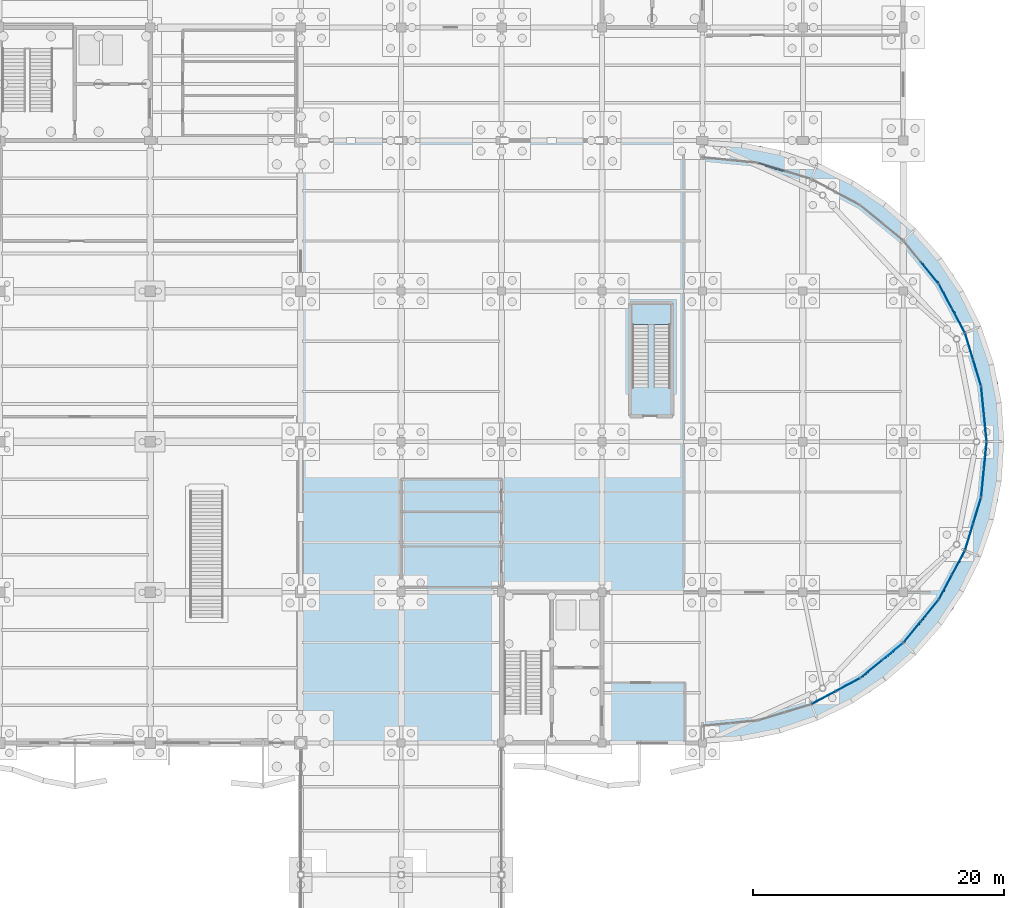
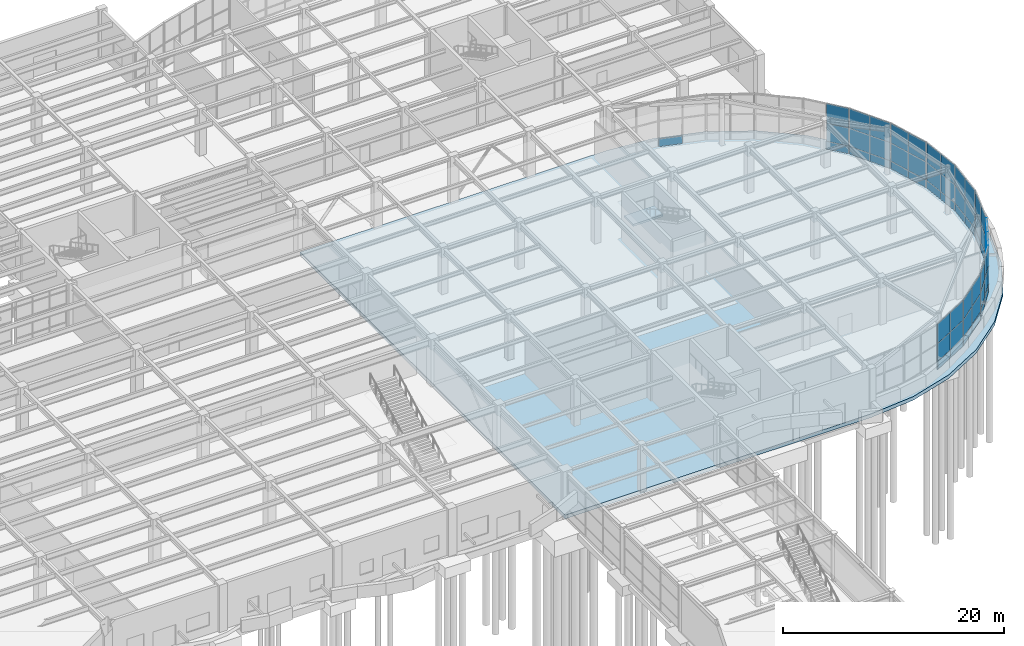
# One storey, part 56 of 85: 58 plates, 2 slabs, 12 elements without a shape of their own.
"""IFC4 building model written with IfcOpenShell, lengths in metres."""

from ifc_helpers import new_model, si_unit, direction, frame, origin, origin_2d, place, context, subcontext, project, spatial, polyline, rectangle, outline, extrude, material, layer, layer_set, type_object, element, aggregate, save


model = new_model("IFC4")

# Units and contexts
model_context = context("Model", 3, precision=1e-05, world=origin(), true_north=direction((0.0, 1.0)))
body_context = subcontext(model_context, "Body", "Model", "MODEL_VIEW")
ifc_project = project(units=[si_unit("LENGTHUNIT", "METRE"), si_unit("AREAUNIT", "SQUARE_METRE"), si_unit("VOLUMEUNIT", "CUBIC_METRE"), si_unit("PLANEANGLEUNIT", "RADIAN"), si_unit("MASSUNIT", "GRAM", prefix="KILO")], contexts=[model_context])

# Site, building, storey
site_placement = place(None, origin())
site = spatial("IfcSite", under=ifc_project, at=site_placement, CompositionType="ELEMENT")
building_placement = place(site_placement, origin())
building = spatial("IfcBuilding", under=site, at=building_placement, Name="Keelwater Ferry Terminal", CompositionType="ELEMENT")
storey_placement = place(building_placement, origin())
storey = spatial("IfcBuildingStorey", under=building, at=storey_placement, Name="L00", CompositionType="ELEMENT", Elevation=0.0)

# Curtain wall, plates
ifc_material_1 = material(Name="Thermally broken unitised aluminium and triple glass", Category="aluminium")
ifc_layer_1 = layer(ifc_material_1, 0.179931640625)
ifc_layer_set_1 = layer_set([ifc_layer_1], Name="Thermally broken unitised aluminium and triple glass")
curtain_wall_type = type_object("IfcCurtainWallType", Name="CW-17 Unitised Curtain Wall 4350x5020", PredefinedType="USERDEFINED", material=ifc_layer_set_1)
curtain_wall_1_placement = place(storey_placement, origin())
curtain_wall_1 = element("IfcCurtainWall", 1, at=curtain_wall_1_placement, inside=storey, type_object=curtain_wall_type, Name="Unitised Curtain Wall CW-L00-095", ObjectType="UNITISED CURTAIN WALL", PredefinedType="USERDEFINED")
ifc_material_2 = material(Name="Insulated white cassette spandrel", Category="aluminium")
ifc_layer_2 = layer(ifc_material_2, 0.094970703125)
ifc_layer_set_2 = layer_set([ifc_layer_2], Name="Insulated white cassette spandrel")
plate_type_1 = type_object("IfcPlateType", Name="CWP-S2 Insulated Spandrel Panel 95", PredefinedType="CURTAIN_PANEL", material=ifc_layer_set_2)
plate_1_placement = place(storey_placement, frame((173.6669921875, 45.607666015625, 0.0), z_axis=(0.0, 0.0, 1.0), x_axis=(0.881862452632, 0.471506749303, 0.0)))
plate_1 = element("IfcPlate", 2, at=plate_1_placement, type_object=plate_type_1, Name="CW-L00-095 Panel 1.1", PredefinedType="CURTAIN_PANEL", context=body_context, shape_type="SweptSolid", body=[
    extrude(rectangle(XDim=2.175048828125, YDim=0.094970703125, at=origin_2d()), origin(), (0.0, 0.0, 1.0), 0.85009765625),
])
plate_2_placement = place(storey_placement, frame((175.5849609375, 46.63330078125, 0.0), z_axis=(0.0, 0.0, 1.0), x_axis=(0.881862452632, 0.471506749303, 0.0)))
plate_2 = element("IfcPlate", 3, at=plate_2_placement, type_object=plate_type_1, Name="CW-L00-095 Panel 2.1", PredefinedType="CURTAIN_PANEL", context=body_context, shape_type="SweptSolid", body=[
    extrude(rectangle(XDim=2.175048828125, YDim=0.094970703125, at=origin_2d()), origin(), (0.0, 0.0, 1.0), 0.85009765625),
])

curtain_wall_2_placement = place(storey_placement, origin())
curtain_wall_2 = element("IfcCurtainWall", 4, at=curtain_wall_2_placement, inside=storey, type_object=curtain_wall_type, Name="Unitised Curtain Wall CW-L00-096", ObjectType="UNITISED CURTAIN WALL", PredefinedType="USERDEFINED")
plate_3_placement = place(storey_placement, frame((177.45947265625, 47.8857421875, 0.0), z_axis=(0.0, 0.0, 1.0), x_axis=(0.773024220086, 0.634376508991, 0.0)))
plate_3 = element("IfcPlate", 5, at=plate_3_placement, type_object=plate_type_1, Name="CW-L00-096 Panel 1.1", PredefinedType="CURTAIN_PANEL", context=body_context, shape_type="SweptSolid", body=[
    extrude(rectangle(XDim=2.174560546875, YDim=0.094970703125, at=origin_2d()), origin(), (0.0, 0.0, 1.0), 0.85009765625),
])
plate_4_placement = place(storey_placement, frame((179.140380859375, 49.26513671875, 0.0), z_axis=(0.0, 0.0, 1.0), x_axis=(0.773024220086, 0.634376508991, 0.0)))
plate_4 = element("IfcPlate", 6, at=plate_4_placement, type_object=plate_type_1, Name="CW-L00-096 Panel 2.1", PredefinedType="CURTAIN_PANEL", context=body_context, shape_type="SweptSolid", body=[
    extrude(rectangle(XDim=2.174560546875, YDim=0.094970703125, at=origin_2d()), origin(), (0.0, 0.0, 1.0), 0.85009765625),
])

curtain_wall_3_placement = place(storey_placement, origin())
curtain_wall_3 = element("IfcCurtainWall", 7, at=curtain_wall_3_placement, inside=storey, type_object=curtain_wall_type, Name="Unitised Curtain Wall CW-L00-097", ObjectType="UNITISED CURTAIN WALL", PredefinedType="USERDEFINED")
plate_5_placement = place(storey_placement, frame((180.73486328125, 50.859619140625, 0.0), z_axis=(0.0, 0.0, 1.0), x_axis=(0.634376508991, 0.773024220086, 0.0)))
plate_5 = element("IfcPlate", 8, at=plate_5_placement, type_object=plate_type_1, Name="CW-L00-097 Panel 1.1", PredefinedType="CURTAIN_PANEL", context=body_context, shape_type="SweptSolid", body=[
    extrude(rectangle(XDim=2.174560546875, YDim=0.094970703125, at=origin_2d()), origin(), (0.0, 0.0, 1.0), 0.85009765625),
])
plate_6_placement = place(storey_placement, frame((182.1142578125, 52.54052734375, 0.0), z_axis=(0.0, 0.0, 1.0), x_axis=(0.634376508991, 0.773024220086, 0.0)))
plate_6 = element("IfcPlate", 9, at=plate_6_placement, type_object=plate_type_1, Name="CW-L00-097 Panel 2.1", PredefinedType="CURTAIN_PANEL", context=body_context, shape_type="SweptSolid", body=[
    extrude(rectangle(XDim=2.174560546875, YDim=0.094970703125, at=origin_2d()), origin(), (0.0, 0.0, 1.0), 0.85009765625),
])

curtain_wall_4_placement = place(storey_placement, origin())
curtain_wall_4 = element("IfcCurtainWall", 10, at=curtain_wall_4_placement, inside=storey, type_object=curtain_wall_type, Name="Unitised Curtain Wall CW-L00-098", ObjectType="UNITISED CURTAIN WALL", PredefinedType="USERDEFINED")
plate_7_placement = place(storey_placement, frame((183.36669921875, 54.4150390625, 0.0), z_axis=(0.0, 0.0, 1.0), x_axis=(0.471506749303, 0.881862452632, 0.0)))
plate_7 = element("IfcPlate", 11, at=plate_7_placement, type_object=plate_type_1, Name="CW-L00-098 Panel 1.1", PredefinedType="CURTAIN_PANEL", context=body_context, shape_type="SweptSolid", body=[
    extrude(rectangle(XDim=2.175048828125, YDim=0.094970703125, at=origin_2d()), origin(), (0.0, 0.0, 1.0), 0.85009765625),
])
plate_8_placement = place(storey_placement, frame((184.392333984375, 56.3330078125, 0.0), z_axis=(0.0, 0.0, 1.0), x_axis=(0.471506749303, 0.881862452632, 0.0)))
plate_8 = element("IfcPlate", 12, at=plate_8_placement, type_object=plate_type_1, Name="CW-L00-098 Panel 2.1", PredefinedType="CURTAIN_PANEL", context=body_context, shape_type="SweptSolid", body=[
    extrude(rectangle(XDim=2.175048828125, YDim=0.094970703125, at=origin_2d()), origin(), (0.0, 0.0, 1.0), 0.85009765625),
])

curtain_wall_5_placement = place(storey_placement, origin())
curtain_wall_5 = element("IfcCurtainWall", 13, at=curtain_wall_5_placement, inside=storey, type_object=curtain_wall_type, Name="Unitised Curtain Wall CW-L00-099", ObjectType="UNITISED CURTAIN WALL", PredefinedType="USERDEFINED")
plate_9_placement = place(storey_placement, frame((185.254638671875, 58.415771484375, 0.0), z_axis=(0.0, 0.0, 1.0), x_axis=(0.290319989003, 0.956929623319, 0.0)))
plate_9 = element("IfcPlate", 14, at=plate_9_placement, type_object=plate_type_1, Name="CW-L00-099 Panel 1.1", PredefinedType="CURTAIN_PANEL", context=body_context, shape_type="SweptSolid", body=[
    extrude(rectangle(XDim=2.17529296875, YDim=0.094970703125, at=origin_2d()), origin(), (0.0, 0.0, 1.0), 0.85009765625),
])
plate_10_placement = place(storey_placement, frame((185.88623046875, 60.497314453125, 0.0), z_axis=(0.0, 0.0, 1.0), x_axis=(0.290319989003, 0.956929623319, 0.0)))
plate_10 = element("IfcPlate", 15, at=plate_10_placement, type_object=plate_type_1, Name="CW-L00-099 Panel 2.1", PredefinedType="CURTAIN_PANEL", context=body_context, shape_type="SweptSolid", body=[
    extrude(rectangle(XDim=2.17529296875, YDim=0.094970703125, at=origin_2d()), origin(), (0.0, 0.0, 1.0), 0.85009765625),
])

curtain_wall_6_placement = place(storey_placement, origin())
curtain_wall_6 = element("IfcCurtainWall", 16, at=curtain_wall_6_placement, inside=storey, type_object=curtain_wall_type, Name="Unitised Curtain Wall CW-L00-100", ObjectType="UNITISED CURTAIN WALL", PredefinedType="USERDEFINED")
plate_11_placement = place(storey_placement, frame((186.32568359375, 62.708251953125, 0.0), z_axis=(0.0, 0.0, 1.0), x_axis=(0.098160737969, 0.995170573079, 0.0)))
plate_11 = element("IfcPlate", 17, at=plate_11_placement, type_object=plate_type_1, Name="CW-L00-100 Panel 1.1", PredefinedType="CURTAIN_PANEL", context=body_context, shape_type="SweptSolid", body=[
    extrude(rectangle(XDim=2.175048828125, YDim=0.094970703125, at=origin_2d()), origin(), (0.0, 0.0, 1.0), 0.85009765625),
])
plate_12_placement = place(storey_placement, frame((186.539306640625, 64.872802734375, 0.0), z_axis=(0.0, 0.0, 1.0), x_axis=(0.098160737969, 0.995170573079, 0.0)))
plate_12 = element("IfcPlate", 18, at=plate_12_placement, type_object=plate_type_1, Name="CW-L00-100 Panel 2.1", PredefinedType="CURTAIN_PANEL", context=body_context, shape_type="SweptSolid", body=[
    extrude(rectangle(XDim=2.175048828125, YDim=0.094970703125, at=origin_2d()), origin(), (0.0, 0.0, 1.0), 0.85009765625),
])

curtain_wall_7_placement = place(storey_placement, origin())
curtain_wall_7 = element("IfcCurtainWall", 19, at=curtain_wall_7_placement, inside=storey, type_object=curtain_wall_type, Name="Unitised Curtain Wall CW-L00-101", ObjectType="UNITISED CURTAIN WALL", PredefinedType="USERDEFINED")
plate_13_placement = place(storey_placement, frame((186.539306640625, 67.127197265625, 0.0), z_axis=(0.0, 0.0, 1.0), x_axis=(-0.098160737969, 0.995170573079, 0.0)))
plate_13 = element("IfcPlate", 20, at=plate_13_placement, type_object=plate_type_1, Name="CW-L00-101 Panel 1.1", PredefinedType="CURTAIN_PANEL", context=body_context, shape_type="SweptSolid", body=[
    extrude(rectangle(XDim=2.175048828125, YDim=0.094970703125, at=origin_2d()), origin(), (0.0, 0.0, 1.0), 0.85009765625),
])
plate_14_placement = place(storey_placement, frame((186.32568359375, 69.291748046875, 0.0), z_axis=(0.0, 0.0, 1.0), x_axis=(-0.098160737969, 0.995170573079, 0.0)))
plate_14 = element("IfcPlate", 21, at=plate_14_placement, type_object=plate_type_1, Name="CW-L00-101 Panel 2.1", PredefinedType="CURTAIN_PANEL", context=body_context, shape_type="SweptSolid", body=[
    extrude(rectangle(XDim=2.175048828125, YDim=0.094970703125, at=origin_2d()), origin(), (0.0, 0.0, 1.0), 0.85009765625),
])

curtain_wall_8_placement = place(storey_placement, origin())
curtain_wall_8 = element("IfcCurtainWall", 22, at=curtain_wall_8_placement, inside=storey, type_object=curtain_wall_type, Name="Unitised Curtain Wall CW-L00-102", ObjectType="UNITISED CURTAIN WALL", PredefinedType="USERDEFINED")
plate_15_placement = place(storey_placement, frame((185.88623046875, 71.502685546875, 0.0), z_axis=(0.0, 0.0, 1.0), x_axis=(-0.290319989003, 0.956929623319, 0.0)))
plate_15 = element("IfcPlate", 23, at=plate_15_placement, type_object=plate_type_1, Name="CW-L00-102 Panel 1.1", PredefinedType="CURTAIN_PANEL", context=body_context, shape_type="SweptSolid", body=[
    extrude(rectangle(XDim=2.17529296875, YDim=0.094970703125, at=origin_2d()), origin(), (0.0, 0.0, 1.0), 0.85009765625),
])
plate_16_placement = place(storey_placement, frame((185.254638671875, 73.584228515625, 0.0), z_axis=(0.0, 0.0, 1.0), x_axis=(-0.290319989003, 0.956929623319, 0.0)))
plate_16 = element("IfcPlate", 24, at=plate_16_placement, type_object=plate_type_1, Name="CW-L00-102 Panel 2.1", PredefinedType="CURTAIN_PANEL", context=body_context, shape_type="SweptSolid", body=[
    extrude(rectangle(XDim=2.17529296875, YDim=0.094970703125, at=origin_2d()), origin(), (0.0, 0.0, 1.0), 0.85009765625),
])

curtain_wall_9_placement = place(storey_placement, origin())
curtain_wall_9 = element("IfcCurtainWall", 25, at=curtain_wall_9_placement, inside=storey, type_object=curtain_wall_type, Name="Unitised Curtain Wall CW-L00-103", ObjectType="UNITISED CURTAIN WALL", PredefinedType="USERDEFINED")
plate_17_placement = place(storey_placement, frame((184.392333984375, 75.6669921875, 0.0), z_axis=(0.0, 0.0, 1.0), x_axis=(-0.471506749303, 0.881862452632, 0.0)))
plate_17 = element("IfcPlate", 26, at=plate_17_placement, type_object=plate_type_1, Name="CW-L00-103 Panel 1.1", PredefinedType="CURTAIN_PANEL", context=body_context, shape_type="SweptSolid", body=[
    extrude(rectangle(XDim=2.175048828125, YDim=0.094970703125, at=origin_2d()), origin(), (0.0, 0.0, 1.0), 0.85009765625),
])
plate_18_placement = place(storey_placement, frame((183.36669921875, 77.5849609375, 0.0), z_axis=(0.0, 0.0, 1.0), x_axis=(-0.471506749303, 0.881862452632, 0.0)))
plate_18 = element("IfcPlate", 27, at=plate_18_placement, type_object=plate_type_1, Name="CW-L00-103 Panel 2.1", PredefinedType="CURTAIN_PANEL", context=body_context, shape_type="SweptSolid", body=[
    extrude(rectangle(XDim=2.175048828125, YDim=0.094970703125, at=origin_2d()), origin(), (0.0, 0.0, 1.0), 0.85009765625),
])

# Curtain wall, plate
curtain_wall_10_placement = place(storey_placement, origin())
curtain_wall_10 = element("IfcCurtainWall", 28, at=curtain_wall_10_placement, inside=storey, type_object=curtain_wall_type, Name="Unitised Curtain Wall CW-L00-104", ObjectType="UNITISED CURTAIN WALL", PredefinedType="USERDEFINED")
plate_19_placement = place(storey_placement, frame((182.1142578125, 79.45947265625, 0.0), z_axis=(0.0, 0.0, 1.0), x_axis=(-0.634376508991, 0.773024220086, 0.0)))
plate_19 = element("IfcPlate", 29, at=plate_19_placement, type_object=plate_type_1, Name="CW-L00-104 Panel 1.1", PredefinedType="CURTAIN_PANEL", context=body_context, shape_type="SweptSolid", body=[
    extrude(rectangle(XDim=2.174560546875, YDim=0.094970703125, at=origin_2d()), origin(), (0.0, 0.0, 1.0), 0.85009765625),
])

curtain_wall_11_placement = place(storey_placement, origin())
curtain_wall_11 = element("IfcCurtainWall", 30, at=curtain_wall_11_placement, inside=storey, type_object=curtain_wall_type, Name="Unitised Curtain Wall CW-L00-107", ObjectType="UNITISED CURTAIN WALL", PredefinedType="USERDEFINED")
plate_20_placement = place(storey_placement, frame((169.502685546875, 87.88623046875, 0.0), z_axis=(0.0, 0.0, 1.0), x_axis=(-0.956929623319, 0.290319989003, 0.0)))
plate_20 = element("IfcPlate", 31, at=plate_20_placement, type_object=plate_type_1, Name="CW-L00-107 Panel 2.1", PredefinedType="CURTAIN_PANEL", context=body_context, shape_type="SweptSolid", body=[
    extrude(rectangle(XDim=2.17529296875, YDim=0.094970703125, at=origin_2d()), origin(), (0.0, 0.0, 1.0), 0.85009765625),
])
aggregate(curtain_wall_11, [plate_20])

# Plate
ifc_material_3 = material(Name="Triple solar-control glass", Category="glass")
ifc_layer_3 = layer(ifc_material_3, 0.0419921875)
ifc_layer_set_3 = layer_set([ifc_layer_3], Name="Triple solar-control glass")
plate_type_2 = type_object("IfcPlateType", Name="CWP-V2 Glazed Vision Panel 42", PredefinedType="CURTAIN_PANEL", material=ifc_layer_set_3)
plate_21_placement = place(storey_placement, frame((173.6669921875, 45.607666015625, 0.85009765625), z_axis=(0.0, 0.0, 1.0), x_axis=(0.881862452632, 0.471506749303, 0.0)))
plate_21 = element("IfcPlate", 32, at=plate_21_placement, type_object=plate_type_2, Name="CW-L00-095 Panel 1.2", PredefinedType="CURTAIN_PANEL", context=body_context, shape_type="SweptSolid", body=[
    extrude(rectangle(XDim=2.175048828125, YDim=0.0419921875, at=origin_2d()), origin(), (0.0, 0.0, 1.0), 2.0),
])

plate_22_placement = place(storey_placement, frame((173.6669921875, 45.607666015625, 2.85009765625), z_axis=(0.0, 0.0, 1.0), x_axis=(0.881862452632, 0.471506749303, 0.0)))
plate_22 = element("IfcPlate", 33, at=plate_22_placement, type_object=plate_type_2, Name="CW-L00-095 Panel 1.3", PredefinedType="CURTAIN_PANEL", context=body_context, shape_type="SweptSolid", body=[
    extrude(rectangle(XDim=2.175048828125, YDim=0.0419921875, at=origin_2d()), origin(), (0.0, 0.0, 1.0), 2.169921875),
])

plate_23_placement = place(storey_placement, frame((175.5849609375, 46.63330078125, 0.85009765625), z_axis=(0.0, 0.0, 1.0), x_axis=(0.881862452632, 0.471506749303, 0.0)))
plate_23 = element("IfcPlate", 34, at=plate_23_placement, type_object=plate_type_2, Name="CW-L00-095 Panel 2.2", PredefinedType="CURTAIN_PANEL", context=body_context, shape_type="SweptSolid", body=[
    extrude(rectangle(XDim=2.175048828125, YDim=0.0419921875, at=origin_2d()), origin(), (0.0, 0.0, 1.0), 2.0),
])

plate_24_placement = place(storey_placement, frame((175.5849609375, 46.63330078125, 2.85009765625), z_axis=(0.0, 0.0, 1.0), x_axis=(0.881862452632, 0.471506749303, 0.0)))
plate_24 = element("IfcPlate", 35, at=plate_24_placement, type_object=plate_type_2, Name="CW-L00-095 Panel 2.3", PredefinedType="CURTAIN_PANEL", context=body_context, shape_type="SweptSolid", body=[
    extrude(rectangle(XDim=2.175048828125, YDim=0.0419921875, at=origin_2d()), origin(), (0.0, 0.0, 1.0), 2.169921875),
])

aggregate(curtain_wall_1, [plate_1, plate_21, plate_22, plate_2, plate_23, plate_24])

plate_25_placement = place(storey_placement, frame((177.45947265625, 47.8857421875, 0.85009765625), z_axis=(0.0, 0.0, 1.0), x_axis=(0.773024220086, 0.634376508991, 0.0)))
plate_25 = element("IfcPlate", 36, at=plate_25_placement, type_object=plate_type_2, Name="CW-L00-096 Panel 1.2", PredefinedType="CURTAIN_PANEL", context=body_context, shape_type="SweptSolid", body=[
    extrude(rectangle(XDim=2.174560546875, YDim=0.0419921875, at=origin_2d()), origin(), (0.0, 0.0, 1.0), 2.0),
])

plate_26_placement = place(storey_placement, frame((177.45947265625, 47.8857421875, 2.85009765625), z_axis=(0.0, 0.0, 1.0), x_axis=(0.773024220086, 0.634376508991, 0.0)))
plate_26 = element("IfcPlate", 37, at=plate_26_placement, type_object=plate_type_2, Name="CW-L00-096 Panel 1.3", PredefinedType="CURTAIN_PANEL", context=body_context, shape_type="SweptSolid", body=[
    extrude(rectangle(XDim=2.174560546875, YDim=0.0419921875, at=origin_2d()), origin(), (0.0, 0.0, 1.0), 2.169921875),
])

plate_27_placement = place(storey_placement, frame((179.140380859375, 49.26513671875, 0.85009765625), z_axis=(0.0, 0.0, 1.0), x_axis=(0.773024220086, 0.634376508991, 0.0)))
plate_27 = element("IfcPlate", 38, at=plate_27_placement, type_object=plate_type_2, Name="CW-L00-096 Panel 2.2", PredefinedType="CURTAIN_PANEL", context=body_context, shape_type="SweptSolid", body=[
    extrude(rectangle(XDim=2.174560546875, YDim=0.0419921875, at=origin_2d()), origin(), (0.0, 0.0, 1.0), 2.0),
])

plate_28_placement = place(storey_placement, frame((179.140380859375, 49.26513671875, 2.85009765625), z_axis=(0.0, 0.0, 1.0), x_axis=(0.773024220086, 0.634376508991, 0.0)))
plate_28 = element("IfcPlate", 39, at=plate_28_placement, type_object=plate_type_2, Name="CW-L00-096 Panel 2.3", PredefinedType="CURTAIN_PANEL", context=body_context, shape_type="SweptSolid", body=[
    extrude(rectangle(XDim=2.174560546875, YDim=0.0419921875, at=origin_2d()), origin(), (0.0, 0.0, 1.0), 2.169921875),
])

aggregate(curtain_wall_2, [plate_3, plate_25, plate_26, plate_4, plate_27, plate_28])

plate_29_placement = place(storey_placement, frame((180.73486328125, 50.859619140625, 0.85009765625), z_axis=(0.0, 0.0, 1.0), x_axis=(0.634376508991, 0.773024220086, 0.0)))
plate_29 = element("IfcPlate", 40, at=plate_29_placement, type_object=plate_type_2, Name="CW-L00-097 Panel 1.2", PredefinedType="CURTAIN_PANEL", context=body_context, shape_type="SweptSolid", body=[
    extrude(rectangle(XDim=2.174560546875, YDim=0.0419921875, at=origin_2d()), origin(), (0.0, 0.0, 1.0), 2.0),
])

plate_30_placement = place(storey_placement, frame((180.73486328125, 50.859619140625, 2.85009765625), z_axis=(0.0, 0.0, 1.0), x_axis=(0.634376508991, 0.773024220086, 0.0)))
plate_30 = element("IfcPlate", 41, at=plate_30_placement, type_object=plate_type_2, Name="CW-L00-097 Panel 1.3", PredefinedType="CURTAIN_PANEL", context=body_context, shape_type="SweptSolid", body=[
    extrude(rectangle(XDim=2.174560546875, YDim=0.0419921875, at=origin_2d()), origin(), (0.0, 0.0, 1.0), 2.169921875),
])

plate_31_placement = place(storey_placement, frame((182.1142578125, 52.54052734375, 0.85009765625), z_axis=(0.0, 0.0, 1.0), x_axis=(0.634376508991, 0.773024220086, 0.0)))
plate_31 = element("IfcPlate", 42, at=plate_31_placement, type_object=plate_type_2, Name="CW-L00-097 Panel 2.2", PredefinedType="CURTAIN_PANEL", context=body_context, shape_type="SweptSolid", body=[
    extrude(rectangle(XDim=2.174560546875, YDim=0.0419921875, at=origin_2d()), origin(), (0.0, 0.0, 1.0), 2.0),
])

plate_32_placement = place(storey_placement, frame((182.1142578125, 52.54052734375, 2.85009765625), z_axis=(0.0, 0.0, 1.0), x_axis=(0.634376508991, 0.773024220086, 0.0)))
plate_32 = element("IfcPlate", 43, at=plate_32_placement, type_object=plate_type_2, Name="CW-L00-097 Panel 2.3", PredefinedType="CURTAIN_PANEL", context=body_context, shape_type="SweptSolid", body=[
    extrude(rectangle(XDim=2.174560546875, YDim=0.0419921875, at=origin_2d()), origin(), (0.0, 0.0, 1.0), 2.169921875),
])

aggregate(curtain_wall_3, [plate_5, plate_29, plate_30, plate_6, plate_31, plate_32])

plate_33_placement = place(storey_placement, frame((183.36669921875, 54.4150390625, 0.85009765625), z_axis=(0.0, 0.0, 1.0), x_axis=(0.471506749303, 0.881862452632, 0.0)))
plate_33 = element("IfcPlate", 44, at=plate_33_placement, type_object=plate_type_2, Name="CW-L00-098 Panel 1.2", PredefinedType="CURTAIN_PANEL", context=body_context, shape_type="SweptSolid", body=[
    extrude(rectangle(XDim=2.175048828125, YDim=0.0419921875, at=origin_2d()), origin(), (0.0, 0.0, 1.0), 2.0),
])

plate_34_placement = place(storey_placement, frame((183.36669921875, 54.4150390625, 2.85009765625), z_axis=(0.0, 0.0, 1.0), x_axis=(0.471506749303, 0.881862452632, 0.0)))
plate_34 = element("IfcPlate", 45, at=plate_34_placement, type_object=plate_type_2, Name="CW-L00-098 Panel 1.3", PredefinedType="CURTAIN_PANEL", context=body_context, shape_type="SweptSolid", body=[
    extrude(rectangle(XDim=2.175048828125, YDim=0.0419921875, at=origin_2d()), origin(), (0.0, 0.0, 1.0), 2.169921875),
])

plate_35_placement = place(storey_placement, frame((184.392333984375, 56.3330078125, 0.85009765625), z_axis=(0.0, 0.0, 1.0), x_axis=(0.471506749303, 0.881862452632, 0.0)))
plate_35 = element("IfcPlate", 46, at=plate_35_placement, type_object=plate_type_2, Name="CW-L00-098 Panel 2.2", PredefinedType="CURTAIN_PANEL", context=body_context, shape_type="SweptSolid", body=[
    extrude(rectangle(XDim=2.175048828125, YDim=0.0419921875, at=origin_2d()), origin(), (0.0, 0.0, 1.0), 2.0),
])

plate_36_placement = place(storey_placement, frame((184.392333984375, 56.3330078125, 2.85009765625), z_axis=(0.0, 0.0, 1.0), x_axis=(0.471506749303, 0.881862452632, 0.0)))
plate_36 = element("IfcPlate", 47, at=plate_36_placement, type_object=plate_type_2, Name="CW-L00-098 Panel 2.3", PredefinedType="CURTAIN_PANEL", context=body_context, shape_type="SweptSolid", body=[
    extrude(rectangle(XDim=2.175048828125, YDim=0.0419921875, at=origin_2d()), origin(), (0.0, 0.0, 1.0), 2.169921875),
])

aggregate(curtain_wall_4, [plate_7, plate_33, plate_34, plate_8, plate_35, plate_36])

plate_37_placement = place(storey_placement, frame((185.254638671875, 58.415771484375, 0.85009765625), z_axis=(0.0, 0.0, 1.0), x_axis=(0.290319989003, 0.956929623319, 0.0)))
plate_37 = element("IfcPlate", 48, at=plate_37_placement, type_object=plate_type_2, Name="CW-L00-099 Panel 1.2", PredefinedType="CURTAIN_PANEL", context=body_context, shape_type="SweptSolid", body=[
    extrude(rectangle(XDim=2.17529296875, YDim=0.0419921875, at=origin_2d()), origin(), (0.0, 0.0, 1.0), 2.0),
])

plate_38_placement = place(storey_placement, frame((185.254638671875, 58.415771484375, 2.85009765625), z_axis=(0.0, 0.0, 1.0), x_axis=(0.290319989003, 0.956929623319, 0.0)))
plate_38 = element("IfcPlate", 49, at=plate_38_placement, type_object=plate_type_2, Name="CW-L00-099 Panel 1.3", PredefinedType="CURTAIN_PANEL", context=body_context, shape_type="SweptSolid", body=[
    extrude(rectangle(XDim=2.17529296875, YDim=0.0419921875, at=origin_2d()), origin(), (0.0, 0.0, 1.0), 2.169921875),
])

plate_39_placement = place(storey_placement, frame((185.88623046875, 60.497314453125, 0.85009765625), z_axis=(0.0, 0.0, 1.0), x_axis=(0.290319989003, 0.956929623319, 0.0)))
plate_39 = element("IfcPlate", 50, at=plate_39_placement, type_object=plate_type_2, Name="CW-L00-099 Panel 2.2", PredefinedType="CURTAIN_PANEL", context=body_context, shape_type="SweptSolid", body=[
    extrude(rectangle(XDim=2.17529296875, YDim=0.0419921875, at=origin_2d()), origin(), (0.0, 0.0, 1.0), 2.0),
])

plate_40_placement = place(storey_placement, frame((185.88623046875, 60.497314453125, 2.85009765625), z_axis=(0.0, 0.0, 1.0), x_axis=(0.290319989003, 0.956929623319, 0.0)))
plate_40 = element("IfcPlate", 51, at=plate_40_placement, type_object=plate_type_2, Name="CW-L00-099 Panel 2.3", PredefinedType="CURTAIN_PANEL", context=body_context, shape_type="SweptSolid", body=[
    extrude(rectangle(XDim=2.17529296875, YDim=0.0419921875, at=origin_2d()), origin(), (0.0, 0.0, 1.0), 2.169921875),
])

aggregate(curtain_wall_5, [plate_9, plate_37, plate_38, plate_10, plate_39, plate_40])

plate_41_placement = place(storey_placement, frame((186.32568359375, 62.708251953125, 0.85009765625), z_axis=(0.0, 0.0, 1.0), x_axis=(0.098160737969, 0.995170573079, 0.0)))
plate_41 = element("IfcPlate", 52, at=plate_41_placement, type_object=plate_type_2, Name="CW-L00-100 Panel 1.2", PredefinedType="CURTAIN_PANEL", context=body_context, shape_type="SweptSolid", body=[
    extrude(rectangle(XDim=2.175048828125, YDim=0.0419921875, at=origin_2d()), origin(), (0.0, 0.0, 1.0), 2.0),
])

plate_42_placement = place(storey_placement, frame((186.32568359375, 62.708251953125, 2.85009765625), z_axis=(0.0, 0.0, 1.0), x_axis=(0.098160737969, 0.995170573079, 0.0)))
plate_42 = element("IfcPlate", 53, at=plate_42_placement, type_object=plate_type_2, Name="CW-L00-100 Panel 1.3", PredefinedType="CURTAIN_PANEL", context=body_context, shape_type="SweptSolid", body=[
    extrude(rectangle(XDim=2.175048828125, YDim=0.0419921875, at=origin_2d()), origin(), (0.0, 0.0, 1.0), 2.169921875),
])

plate_43_placement = place(storey_placement, frame((186.539306640625, 64.872802734375, 0.85009765625), z_axis=(0.0, 0.0, 1.0), x_axis=(0.098160737969, 0.995170573079, 0.0)))
plate_43 = element("IfcPlate", 54, at=plate_43_placement, type_object=plate_type_2, Name="CW-L00-100 Panel 2.2", PredefinedType="CURTAIN_PANEL", context=body_context, shape_type="SweptSolid", body=[
    extrude(rectangle(XDim=2.175048828125, YDim=0.0419921875, at=origin_2d()), origin(), (0.0, 0.0, 1.0), 2.0),
])

plate_44_placement = place(storey_placement, frame((186.539306640625, 64.872802734375, 2.85009765625), z_axis=(0.0, 0.0, 1.0), x_axis=(0.098160737969, 0.995170573079, 0.0)))
plate_44 = element("IfcPlate", 55, at=plate_44_placement, type_object=plate_type_2, Name="CW-L00-100 Panel 2.3", PredefinedType="CURTAIN_PANEL", context=body_context, shape_type="SweptSolid", body=[
    extrude(rectangle(XDim=2.175048828125, YDim=0.0419921875, at=origin_2d()), origin(), (0.0, 0.0, 1.0), 2.169921875),
])

aggregate(curtain_wall_6, [plate_11, plate_41, plate_42, plate_12, plate_43, plate_44])

plate_45_placement = place(storey_placement, frame((186.539306640625, 67.127197265625, 0.85009765625), z_axis=(0.0, 0.0, 1.0), x_axis=(-0.098160737969, 0.995170573079, 0.0)))
plate_45 = element("IfcPlate", 56, at=plate_45_placement, type_object=plate_type_2, Name="CW-L00-101 Panel 1.2", PredefinedType="CURTAIN_PANEL", context=body_context, shape_type="SweptSolid", body=[
    extrude(rectangle(XDim=2.175048828125, YDim=0.0419921875, at=origin_2d()), origin(), (0.0, 0.0, 1.0), 2.0),
])

plate_46_placement = place(storey_placement, frame((186.539306640625, 67.127197265625, 2.85009765625), z_axis=(0.0, 0.0, 1.0), x_axis=(-0.098160737969, 0.995170573079, 0.0)))
plate_46 = element("IfcPlate", 57, at=plate_46_placement, type_object=plate_type_2, Name="CW-L00-101 Panel 1.3", PredefinedType="CURTAIN_PANEL", context=body_context, shape_type="SweptSolid", body=[
    extrude(rectangle(XDim=2.175048828125, YDim=0.0419921875, at=origin_2d()), origin(), (0.0, 0.0, 1.0), 2.169921875),
])

plate_47_placement = place(storey_placement, frame((186.32568359375, 69.291748046875, 0.85009765625), z_axis=(0.0, 0.0, 1.0), x_axis=(-0.098160737969, 0.995170573079, 0.0)))
plate_47 = element("IfcPlate", 58, at=plate_47_placement, type_object=plate_type_2, Name="CW-L00-101 Panel 2.2", PredefinedType="CURTAIN_PANEL", context=body_context, shape_type="SweptSolid", body=[
    extrude(rectangle(XDim=2.175048828125, YDim=0.0419921875, at=origin_2d()), origin(), (0.0, 0.0, 1.0), 2.0),
])

plate_48_placement = place(storey_placement, frame((186.32568359375, 69.291748046875, 2.85009765625), z_axis=(0.0, 0.0, 1.0), x_axis=(-0.098160737969, 0.995170573079, 0.0)))
plate_48 = element("IfcPlate", 59, at=plate_48_placement, type_object=plate_type_2, Name="CW-L00-101 Panel 2.3", PredefinedType="CURTAIN_PANEL", context=body_context, shape_type="SweptSolid", body=[
    extrude(rectangle(XDim=2.175048828125, YDim=0.0419921875, at=origin_2d()), origin(), (0.0, 0.0, 1.0), 2.169921875),
])

aggregate(curtain_wall_7, [plate_13, plate_45, plate_46, plate_14, plate_47, plate_48])

plate_49_placement = place(storey_placement, frame((185.88623046875, 71.502685546875, 0.85009765625), z_axis=(0.0, 0.0, 1.0), x_axis=(-0.290319989003, 0.956929623319, 0.0)))
plate_49 = element("IfcPlate", 60, at=plate_49_placement, type_object=plate_type_2, Name="CW-L00-102 Panel 1.2", PredefinedType="CURTAIN_PANEL", context=body_context, shape_type="SweptSolid", body=[
    extrude(rectangle(XDim=2.17529296875, YDim=0.0419921875, at=origin_2d()), origin(), (0.0, 0.0, 1.0), 2.0),
])

plate_50_placement = place(storey_placement, frame((185.88623046875, 71.502685546875, 2.85009765625), z_axis=(0.0, 0.0, 1.0), x_axis=(-0.290319989003, 0.956929623319, 0.0)))
plate_50 = element("IfcPlate", 61, at=plate_50_placement, type_object=plate_type_2, Name="CW-L00-102 Panel 1.3", PredefinedType="CURTAIN_PANEL", context=body_context, shape_type="SweptSolid", body=[
    extrude(rectangle(XDim=2.17529296875, YDim=0.0419921875, at=origin_2d()), origin(), (0.0, 0.0, 1.0), 2.169921875),
])

plate_51_placement = place(storey_placement, frame((185.254638671875, 73.584228515625, 0.85009765625), z_axis=(0.0, 0.0, 1.0), x_axis=(-0.290319989003, 0.956929623319, 0.0)))
plate_51 = element("IfcPlate", 62, at=plate_51_placement, type_object=plate_type_2, Name="CW-L00-102 Panel 2.2", PredefinedType="CURTAIN_PANEL", context=body_context, shape_type="SweptSolid", body=[
    extrude(rectangle(XDim=2.17529296875, YDim=0.0419921875, at=origin_2d()), origin(), (0.0, 0.0, 1.0), 2.0),
])

plate_52_placement = place(storey_placement, frame((185.254638671875, 73.584228515625, 2.85009765625), z_axis=(0.0, 0.0, 1.0), x_axis=(-0.290319989003, 0.956929623319, 0.0)))
plate_52 = element("IfcPlate", 63, at=plate_52_placement, type_object=plate_type_2, Name="CW-L00-102 Panel 2.3", PredefinedType="CURTAIN_PANEL", context=body_context, shape_type="SweptSolid", body=[
    extrude(rectangle(XDim=2.17529296875, YDim=0.0419921875, at=origin_2d()), origin(), (0.0, 0.0, 1.0), 2.169921875),
])

aggregate(curtain_wall_8, [plate_15, plate_49, plate_50, plate_16, plate_51, plate_52])

plate_53_placement = place(storey_placement, frame((184.392333984375, 75.6669921875, 0.85009765625), z_axis=(0.0, 0.0, 1.0), x_axis=(-0.471506749303, 0.881862452632, 0.0)))
plate_53 = element("IfcPlate", 64, at=plate_53_placement, type_object=plate_type_2, Name="CW-L00-103 Panel 1.2", PredefinedType="CURTAIN_PANEL", context=body_context, shape_type="SweptSolid", body=[
    extrude(rectangle(XDim=2.175048828125, YDim=0.0419921875, at=origin_2d()), origin(), (0.0, 0.0, 1.0), 2.0),
])

plate_54_placement = place(storey_placement, frame((184.392333984375, 75.6669921875, 2.85009765625), z_axis=(0.0, 0.0, 1.0), x_axis=(-0.471506749303, 0.881862452632, 0.0)))
plate_54 = element("IfcPlate", 65, at=plate_54_placement, type_object=plate_type_2, Name="CW-L00-103 Panel 1.3", PredefinedType="CURTAIN_PANEL", context=body_context, shape_type="SweptSolid", body=[
    extrude(rectangle(XDim=2.175048828125, YDim=0.0419921875, at=origin_2d()), origin(), (0.0, 0.0, 1.0), 2.169921875),
])

plate_55_placement = place(storey_placement, frame((183.36669921875, 77.5849609375, 0.85009765625), z_axis=(0.0, 0.0, 1.0), x_axis=(-0.471506749303, 0.881862452632, 0.0)))
plate_55 = element("IfcPlate", 66, at=plate_55_placement, type_object=plate_type_2, Name="CW-L00-103 Panel 2.2", PredefinedType="CURTAIN_PANEL", context=body_context, shape_type="SweptSolid", body=[
    extrude(rectangle(XDim=2.175048828125, YDim=0.0419921875, at=origin_2d()), origin(), (0.0, 0.0, 1.0), 2.0),
])

plate_56_placement = place(storey_placement, frame((183.36669921875, 77.5849609375, 2.85009765625), z_axis=(0.0, 0.0, 1.0), x_axis=(-0.471506749303, 0.881862452632, 0.0)))
plate_56 = element("IfcPlate", 67, at=plate_56_placement, type_object=plate_type_2, Name="CW-L00-103 Panel 2.3", PredefinedType="CURTAIN_PANEL", context=body_context, shape_type="SweptSolid", body=[
    extrude(rectangle(XDim=2.175048828125, YDim=0.0419921875, at=origin_2d()), origin(), (0.0, 0.0, 1.0), 2.169921875),
])

aggregate(curtain_wall_9, [plate_17, plate_53, plate_54, plate_18, plate_55, plate_56])

plate_57_placement = place(storey_placement, frame((182.1142578125, 79.45947265625, 0.85009765625), z_axis=(0.0, 0.0, 1.0), x_axis=(-0.634376508991, 0.773024220086, 0.0)))
plate_57 = element("IfcPlate", 68, at=plate_57_placement, type_object=plate_type_2, Name="CW-L00-104 Panel 1.2", PredefinedType="CURTAIN_PANEL", context=body_context, shape_type="SweptSolid", body=[
    extrude(rectangle(XDim=2.174560546875, YDim=0.0419921875, at=origin_2d()), origin(), (0.0, 0.0, 1.0), 2.0),
])

plate_58_placement = place(storey_placement, frame((182.1142578125, 79.45947265625, 2.85009765625), z_axis=(0.0, 0.0, 1.0), x_axis=(-0.634376508991, 0.773024220086, 0.0)))
plate_58 = element("IfcPlate", 69, at=plate_58_placement, type_object=plate_type_2, Name="CW-L00-104 Panel 1.3", PredefinedType="CURTAIN_PANEL", context=body_context, shape_type="SweptSolid", body=[
    extrude(rectangle(XDim=2.174560546875, YDim=0.0419921875, at=origin_2d()), origin(), (0.0, 0.0, 1.0), 2.169921875),
])

aggregate(curtain_wall_10, [plate_19, plate_57, plate_58])

# Slab
ifc_material_4 = material(Name="Concrete C40/50", Category="concrete")
ifc_layer_4 = layer(ifc_material_4, 0.39990234375)
ifc_layer_set_4 = layer_set([ifc_layer_4], Name="Concrete C40/50")
slab_type_1 = type_object("IfcSlabType", Name="SL-B400 Ground Base Slab 400", PredefinedType="BASESLAB", material=ifc_layer_set_4)
slab_1_placement = place(storey_placement, frame((0.0, 0.0, -0.39990234375)))
element("IfcSlab", 70, at=slab_1_placement, inside=storey, type_object=slab_type_1, Name="V2 Arrivals Hall Base Slab SL-L00-003", PredefinedType="BASESLAB", context=body_context, shape_type="SweptSolid", body=[
    extrude(outline(polyline([(132.0, 42.0), (164.0, 42.0), (168.681884765625, 42.4609375), (173.18408203125, 43.826904296875), (177.333984375, 46.044921875), (180.970947265625, 49.029052734375), (183.955078125, 52.666015625), (186.173095703125, 56.81591796875), (187.5390625, 61.318115234375), (188.0, 66.0), (187.5390625, 70.681884765625), (186.173095703125, 75.18408203125), (183.955078125, 79.333984375), (180.970947265625, 82.970947265625), (177.333984375, 85.955078125), (173.18408203125, 88.173095703125), (168.681884765625, 89.5390625), (164.0, 90.0), (132.0, 90.0), (132.0, 42.0)])), origin(), (0.0, 0.0, 1.0), 0.39990234375),
])

# Stair, slab
ifc_material_5 = material(Name="Concrete C40/50", Category="concrete")
stair_type = type_object("IfcStairType", Name="ST-T01 Half-Turn Stair 1350W 36R", PredefinedType="HALF_TURN_STAIR", material=ifc_material_5)
stair_placement = place(storey_placement, origin())
stair = element("IfcStair", 71, at=stair_placement, inside=storey, type_object=stair_type, Name="Half-Turn Stair ST-E5-L00", PredefinedType="HALF_TURN_STAIR")
ifc_material_6 = material(Name="Concrete C40/50", Category="concrete")
ifc_layer_5 = layer(ifc_material_6, 0.219970703125)
ifc_layer_set_5 = layer_set([ifc_layer_5], Name="Concrete C40/50")
slab_type_2 = type_object("IfcSlabType", Name="SL-LD220 Stair Landing Slab 220", PredefinedType="LANDING", material=ifc_layer_set_5)
slab_2_placement = place(storey_placement, frame((0.0, 0.0, 2.47998046875)))
slab_2 = element("IfcSlab", 72, at=slab_2_placement, type_object=slab_type_2, Name="ST-E5-L00 landing 1", PredefinedType="LANDING", context=body_context, shape_type="SweptSolid", body=[
    extrude(outline(polyline([(158.35009765625, 75.340087890625), (161.5, 75.340087890625), (161.5, 76.949951171875), (158.35009765625, 76.949951171875), (158.35009765625, 75.340087890625)])), origin(), (0.0, 0.0, 1.0), 0.219970703125),
])
aggregate(stair, [slab_2])

save(model, "model.ifc")
